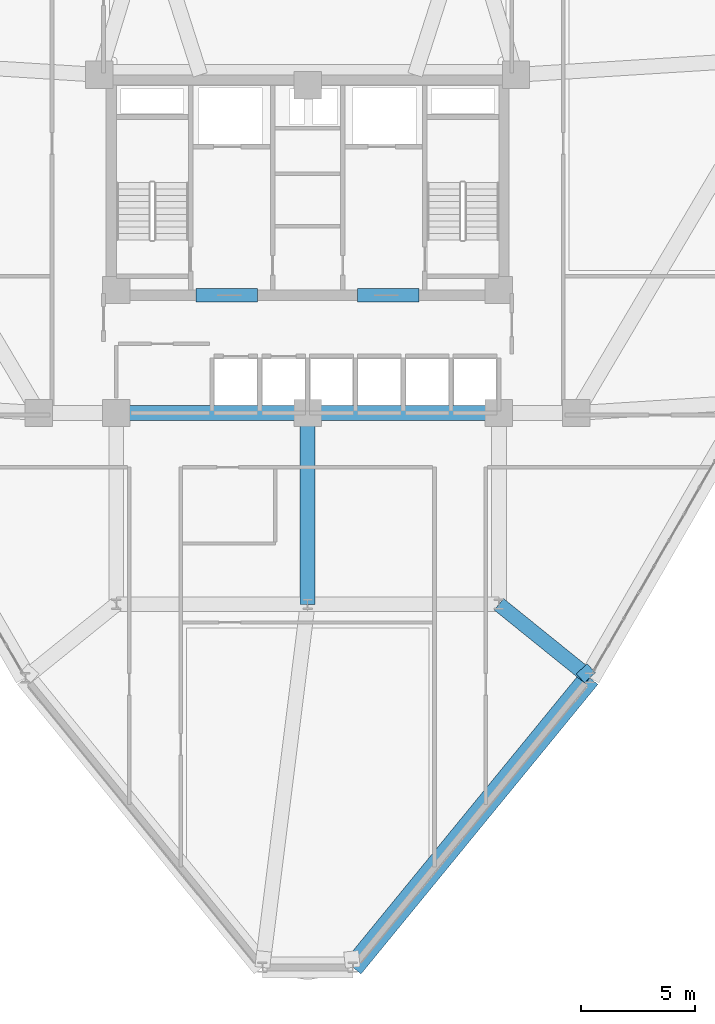
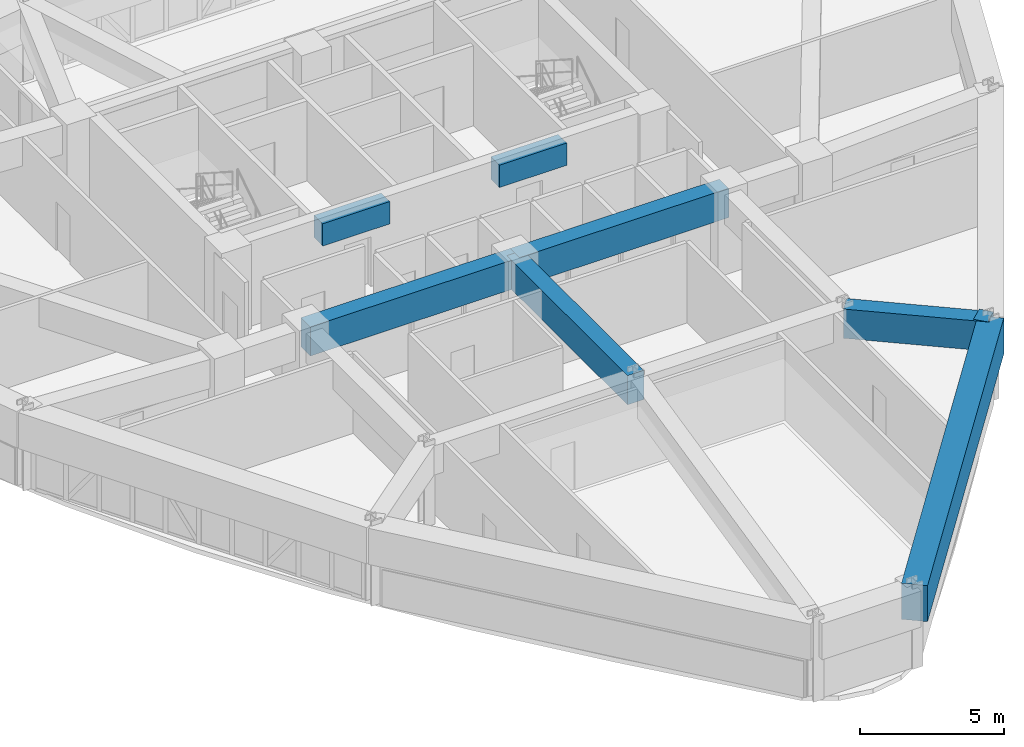
# One storey, part 5 of 15: 8 beams.
"""IFC4 building model written with IfcOpenShell, lengths in metres."""

from ifc_helpers import new_model, si_unit, derived_unit, direction, frame, origin, origin_2d, place, context, subcontext, project, spatial, rectangle, extrude, source, transform, mapped, material, material_profile, profile_set, type_object, element, save


model = new_model("IFC4")

# Units and contexts
model_context = context("Model", 3, precision=1e-05, world=origin(), true_north=direction((0.0, 1.0)))
body_context = subcontext(model_context, "Body", "Model", "MODEL_VIEW")
ifc_project = project(units=[si_unit("LENGTHUNIT", "METRE"), si_unit("AREAUNIT", "SQUARE_METRE"), si_unit("VOLUMEUNIT", "CUBIC_METRE"), si_unit("PLANEANGLEUNIT", "RADIAN"), si_unit("MASSUNIT", "GRAM", prefix="KILO"), derived_unit("THERMALTRANSMITTANCEUNIT", [(si_unit("POWERUNIT", "WATT"), 1), (si_unit("LENGTHUNIT", "METRE"), -2), (si_unit("THERMODYNAMICTEMPERATUREUNIT", "KELVIN"), -1)])], contexts=[model_context])

# Site, building, storey
site_placement = place(None, origin())
site = spatial("IfcSite", under=ifc_project, at=site_placement, CompositionType="ELEMENT")
building_placement = place(site_placement, origin())
building = spatial("IfcBuilding", under=site, at=building_placement, Name="Korsvarv Bourse and Concert Hall", CompositionType="ELEMENT")
storey_placement = place(building_placement, frame((0.0, 0.0, 117.0)))
storey = spatial("IfcBuildingStorey", under=building, at=storey_placement, Name="L29", CompositionType="ELEMENT", Elevation=117.0)

# Beams
ifc_material_1 = material(Name="Concrete C55/67", Category="concrete")
ifc_material_profile_1 = material_profile(ifc_material_1, rectangle(XDim=0.60009765625, YDim=0.949951171875, at=origin_2d()), Name="RC-BM 600x950")
ifc_profile_set_1 = profile_set([ifc_material_profile_1], Name="Concrete C55/67")
beam_type_1 = type_object("IfcBeamType", Name="BM-CPL", PredefinedType="LINTEL", material=ifc_profile_set_1)
shared_shape_1 = source(origin(), body_context, "Body", "SweptSolid", [
    extrude(rectangle(XDim=0.60009765625, YDim=0.949951171875, at=origin_2d()), origin(), (0.0, 0.0, 1.0), 2.699951171875),
])
for number, where, z_axis, x_axis, name in (
    (1, (31.10009765625, 37.574951171875, 2.925048828125), (1.0, 0.0, 0.0), (0.0, 1.0, 0.0), "L29 Core Coupling Beam West"),
    (2, (38.199951171875, 37.574951171875, 2.925048828125), (1.0, 0.0, 0.0), (0.0, 1.0, 0.0), "L29 Core Coupling Beam East"),
):
    element("IfcBeam", number, at=place(storey_placement, frame(where, z_axis=z_axis, x_axis=x_axis)), inside=storey, type_object=beam_type_1, Name=name, PredefinedType="LINTEL", context=body_context, shape_type="MappedRepresentation", body=[
        mapped(shared_shape_1, transform((0.0, 0.0, 0.0), scale=1.0)),
    ])
ifc_material_2 = material(Name="Concrete C50/60", Category="concrete")
ifc_material_profile_2 = material_profile(ifc_material_2, rectangle(XDim=0.64990234375, YDim=1.239990234375, at=origin_2d()), Name="RC-BM 650x1240")
ifc_profile_set_2 = profile_set([ifc_material_profile_2], Name="Concrete C50/60")
beam_type_2 = type_object("IfcBeamType", Name="BM-TR-SPN", PredefinedType="BEAM", material=ifc_profile_set_2)
shared_shape_2 = source(origin(), body_context, "Body", "SweptSolid", [
    extrude(rectangle(XDim=0.64990234375, YDim=1.239990234375, at=origin_2d()), origin(), (0.0, 0.0, 1.0), 8.39990234375),
])
for number, where, z_axis, x_axis, name in (
    (3, (27.60009765625, 32.39990234375, 2.780029296875), (1.0, 0.0, 0.0), (0.0, 1.0, 0.0), "L29 beam B-TRS"),
    (4, (36.0, 32.39990234375, 2.780029296875), (1.0, 0.0, 0.0), (0.0, 1.0, 0.0), "L29 beam B-TRS"),
    (5, (36.0, 24.0, 2.780029296875), (0.0, 1.0, 0.0), (-1.0, 0.0, 0.0), "L29 beam B-TRS"),
):
    element("IfcBeam", number, at=place(storey_placement, frame(where, z_axis=z_axis, x_axis=x_axis)), inside=storey, type_object=beam_type_2, Name=name, PredefinedType="BEAM", context=body_context, shape_type="MappedRepresentation", body=[
        mapped(shared_shape_2, transform((0.0, 0.0, 0.0), scale=1.0)),
    ])
ifc_material_profile_3 = material_profile(ifc_material_2, rectangle(XDim=0.919921875, YDim=1.530029296875, at=origin_2d()), Name="RC-BM 920x1530")
ifc_profile_set_3 = profile_set([ifc_material_profile_3], Name="Concrete C50/60")
beam_type_3 = type_object("IfcBeamType", Name="BM-TR-154", PredefinedType="BEAM", material=ifc_profile_set_3)
shared_shape_3 = source(origin(), body_context, "Body", "SweptSolid", [
    extrude(rectangle(XDim=0.919921875, YDim=1.530029296875, at=origin_2d()), origin(), (0.0, 0.0, 1.0), 16.4345703125),
])
beam_1_placement = place(storey_placement, frame((37.9873046875, 8.054931640625, 2.635009765625), z_axis=(0.633145565553, 0.774032746607, 0.0), x_axis=(-0.774032746607, 0.633145565553, 0.0)))
element("IfcBeam", 6, at=beam_1_placement, inside=storey, type_object=beam_type_3, Name="L29 beam B-TR6", PredefinedType="BEAM", context=body_context, shape_type="MappedRepresentation", body=[
    mapped(shared_shape_3, transform((0.0, 0.0, 0.0), scale=1.0)),
])
shared_shape_4 = source(origin(), body_context, "Body", "SweptSolid", [
    extrude(rectangle(XDim=0.64990234375, YDim=1.239990234375, at=origin_2d()), origin(), (0.0, 0.0, 1.0), 5.132080078125),
])
beam_2_placement = place(storey_placement, frame((48.392822265625, 20.77587890625, 2.780029296875), z_axis=(-0.778029713996, 0.62822747802, 0.0), x_axis=(-0.62822747802, -0.778029713996, 0.0)))
element("IfcBeam", 7, at=beam_2_placement, inside=storey, type_object=beam_type_2, Name="L29 beam B-TRS", PredefinedType="BEAM", context=body_context, shape_type="MappedRepresentation", body=[
    mapped(shared_shape_4, transform((0.0, 0.0, 0.0), scale=1.0)),
])
shared_shape_5 = source(origin(), body_context, "Body", "SweptSolid", [
    extrude(rectangle(XDim=0.64990234375, YDim=1.239990234375, at=origin_2d()), origin(), (0.0, 0.0, 1.0), 0.528564453125),
])
beam_3_placement = place(storey_placement, frame((48.392822265625, 20.77587890625, 2.780029296875), z_axis=(-0.672097800119, 0.740462387347, 0.0), x_axis=(-0.740462387347, -0.672097800119, 0.0)))
element("IfcBeam", 8, at=beam_3_placement, inside=storey, type_object=beam_type_2, Name="L29 beam B-TRS", PredefinedType="BEAM", context=body_context, shape_type="MappedRepresentation", body=[
    mapped(shared_shape_5, transform((0.0, 0.0, 0.0), scale=1.0)),
])

save(model, "model.ifc")
